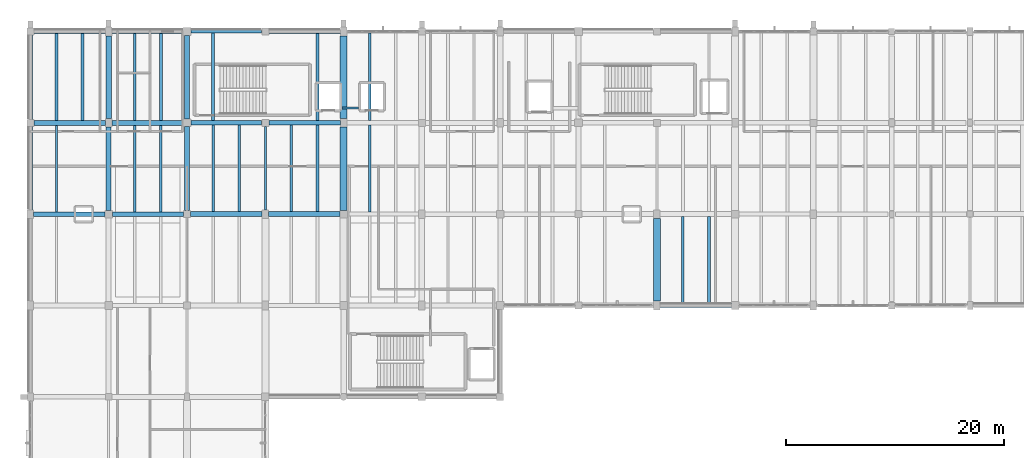
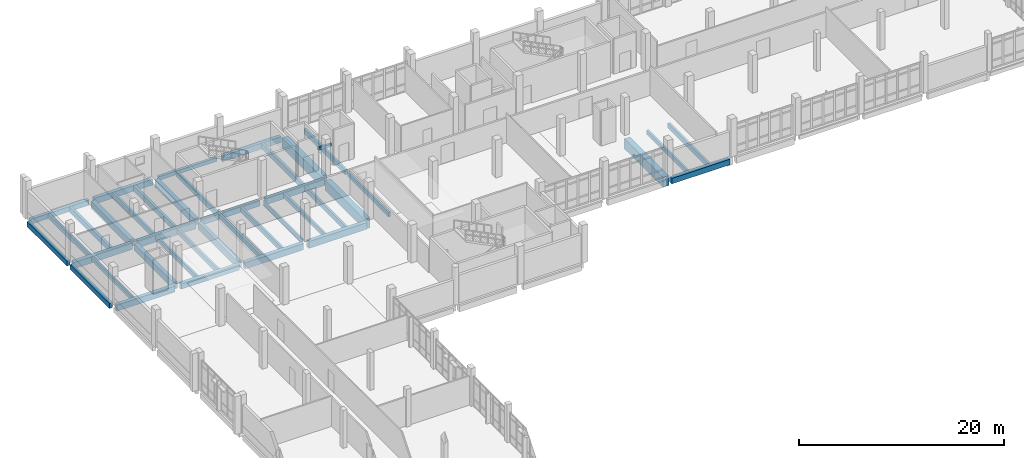
# One storey, part 27 of 57: 41 beams.
"""IFC4 building model written with IfcOpenShell, lengths in metres."""

from ifc_helpers import new_model, si_unit, direction, frame, origin, origin_2d, place, context, subcontext, project, spatial, rectangle, i_section, extrude, material, material_profile, profile_set, type_object, element, save


model = new_model("IFC4")

# Units and contexts
model_context = context("Model", 3, precision=1e-05, world=origin(), true_north=direction((0.0, 1.0)))
body_context = subcontext(model_context, "Body", "Model", "MODEL_VIEW")
ifc_project = project(units=[si_unit("LENGTHUNIT", "METRE"), si_unit("AREAUNIT", "SQUARE_METRE"), si_unit("VOLUMEUNIT", "CUBIC_METRE"), si_unit("PLANEANGLEUNIT", "RADIAN"), si_unit("MASSUNIT", "GRAM", prefix="KILO")], contexts=[model_context])

# Site, building, storey
site_placement = place(None, origin())
site = spatial("IfcSite", under=ifc_project, at=site_placement, CompositionType="ELEMENT")
building_placement = place(site_placement, origin())
building = spatial("IfcBuilding", under=site, at=building_placement, Name="Kalluvel Institute of Natural Sciences", CompositionType="ELEMENT")
storey_placement = place(building_placement, frame((0.0, 0.0, 23.39990234375)))
storey = spatial("IfcBuildingStorey", under=building, at=storey_placement, Name="L05", CompositionType="ELEMENT", Elevation=23.39990234375)

# Beams
ifc_material_1 = material(Name="Steel E350 Grade 350", Category="steel")
ifc_material_profile_1 = material_profile(ifc_material_1, i_section(OverallWidth=0.18994140625, OverallDepth=0.550048828125, WebThickness=0.01123046875, FlangeThickness=0.019287109375, FilletRadius=0.01806640625, at=origin_2d()), Name="ISMB 550")
ifc_profile_set_1 = profile_set([ifc_material_profile_1], Name="Steel E350 Grade 350")
beam_type_1 = type_object("IfcBeamType", Name="BM-ISMB550", PredefinedType="BEAM", material=ifc_profile_set_1)
beam_1_placement = place(storey_placement, frame((35.60009765625, 111.60009765625, -0.594970703125), z_axis=(0.0, 1.0, 0.0), x_axis=(-1.0, 0.0, 0.0)))
element("IfcBeam", 1, at=beam_1_placement, inside=storey, type_object=beam_type_1, Name="L05 girder GIR-L05-NS-X356-Y1112", PredefinedType="BEAM", context=body_context, shape_type="SweptSolid", body=[
    extrude(i_section(OverallWidth=0.18994140625, OverallDepth=0.550048828125, WebThickness=0.01123046875, FlangeThickness=0.019287109375, FilletRadius=0.01806640625, at=origin_2d()), origin(), (0.0, 0.0, 1.0), 7.6748046875),
])
ifc_material_2 = material(Name="Concrete M40", Category="concrete")
ifc_material_profile_2 = material_profile(ifc_material_2, rectangle(XDim=0.3798828125, YDim=0.639892578125, at=origin_2d()), Name="RCB 380x640")
ifc_profile_set_2 = profile_set([ifc_material_profile_2], Name="Concrete M40")
beam_type_2 = type_object("IfcBeamType", Name="BM-RC380x640", PredefinedType="BEAM", material=ifc_profile_set_2)
beam_2_placement = place(storey_placement, frame((28.75, 119.60009765625, -0.639892578125), z_axis=(1.0, 0.0, 0.0), x_axis=(0.0, 1.0, 0.0)))
element("IfcBeam", 2, at=beam_2_placement, inside=storey, type_object=beam_type_2, Name="L05 girder GIR-L05-EW-X284-Y1196", PredefinedType="BEAM", context=body_context, shape_type="SweptSolid", body=[
    extrude(rectangle(XDim=0.3798828125, YDim=0.639892578125, at=origin_2d()), origin(), (0.0, 0.0, 1.0), 6.52490234375),
])
ifc_material_profile_3 = material_profile(ifc_material_2, rectangle(XDim=0.39990234375, YDim=0.64990234375, at=origin_2d()), Name="RCB 400x650")
ifc_profile_set_3 = profile_set([ifc_material_profile_3], Name="Concrete M40")
beam_type_3 = type_object("IfcBeamType", Name="BM-RC400x650", PredefinedType="BEAM", material=ifc_profile_set_3)
beam_3_placement = place(storey_placement, frame((71.89990234375, 102.800048828125, -0.64501953125), z_axis=(1.0, 0.0, 0.0), x_axis=(0.0, 1.0, 0.0)))
element("IfcBeam", 3, at=beam_3_placement, inside=storey, type_object=beam_type_3, Name="L05 girder GIR-L05-EW-X716-Y1028", PredefinedType="BEAM", context=body_context, shape_type="SweptSolid", body=[
    extrude(rectangle(XDim=0.39990234375, YDim=0.64990234375, at=origin_2d()), origin(), (0.0, 0.0, 1.0), 6.550048828125),
])
beam_4_placement = place(storey_placement, frame((21.550048828125, 111.199951171875, -0.64501953125), z_axis=(1.0, 0.0, 0.0), x_axis=(0.0, 1.0, 0.0)))
element("IfcBeam", 4, at=beam_4_placement, inside=storey, type_object=beam_type_3, Name="L05 girder GIR-L05-EW-X212-Y1112", PredefinedType="BEAM", context=body_context, shape_type="SweptSolid", body=[
    extrude(rectangle(XDim=0.39990234375, YDim=0.64990234375, at=origin_2d()), origin(), (0.0, 0.0, 1.0), 6.52490234375),
])
ifc_material_profile_4 = material_profile(ifc_material_2, rectangle(XDim=0.419921875, YDim=0.719970703125, at=origin_2d()), Name="RCB 420x720")
ifc_profile_set_4 = profile_set([ifc_material_profile_4], Name="Concrete M40")
beam_type_4 = type_object("IfcBeamType", Name="BM-RC420x720", PredefinedType="BEAM", material=ifc_profile_set_4)
beam_5_placement = place(storey_placement, frame((14.300048828125, 111.199951171875, -0.679931640625), z_axis=(1.0, 0.0, 0.0), x_axis=(0.0, 1.0, 0.0)))
element("IfcBeam", 5, at=beam_5_placement, inside=storey, type_object=beam_type_4, Name="L05 girder GIR-L05-EW-X140-Y1112", PredefinedType="BEAM", context=body_context, shape_type="SweptSolid", body=[
    extrude(rectangle(XDim=0.419921875, YDim=0.719970703125, at=origin_2d()), origin(), (0.0, 0.0, 1.0), 6.550048828125),
])
beam_6_placement = place(storey_placement, frame((35.925048828125, 119.60009765625, -0.679931640625), z_axis=(1.0, 0.0, 0.0), x_axis=(0.0, 1.0, 0.0)))
element("IfcBeam", 6, at=beam_6_placement, inside=storey, type_object=beam_type_4, Name="L05 girder GIR-L05-EW-X356-Y1196", PredefinedType="BEAM", context=body_context, shape_type="SweptSolid", body=[
    extrude(rectangle(XDim=0.419921875, YDim=0.719970703125, at=origin_2d()), origin(), (0.0, 0.0, 1.0), 6.574951171875),
])
ifc_material_profile_5 = material_profile(ifc_material_2, rectangle(XDim=0.449951171875, YDim=0.75, at=origin_2d()), Name="RCB 450x750")
ifc_profile_set_5 = profile_set([ifc_material_profile_5], Name="Concrete M40")
beam_type_5 = type_object("IfcBeamType", Name="BM-RC450x750", PredefinedType="BEAM", material=ifc_profile_set_5)
for number, where, z_axis, x_axis, name in (
    (7, (28.72509765625, 111.199951171875, -0.69482421875), (1.0, 0.0, 0.0), (0.0, 1.0, 0.0), "L05 girder GIR-L05-EW-X284-Y1112"),
    (8, (14.324951171875, 119.60009765625, -0.69482421875), (1.0, 0.0, 0.0), (0.0, 1.0, 0.0), "L05 girder GIR-L05-EW-X140-Y1196"),
):
    element("IfcBeam", number, at=place(storey_placement, frame(where, z_axis=z_axis, x_axis=x_axis)), inside=storey, type_object=beam_type_5, Name=name, PredefinedType="BEAM", context=body_context, shape_type="SweptSolid", body=[
        extrude(rectangle(XDim=0.449951171875, YDim=0.75, at=origin_2d()), origin(), (0.0, 0.0, 1.0), 6.574951171875),
    ])
ifc_material_profile_6 = material_profile(ifc_material_2, rectangle(XDim=0.449951171875, YDim=0.800048828125, at=origin_2d()), Name="RCB 450x800")
ifc_profile_set_6 = profile_set([ifc_material_profile_6], Name="Concrete M40")
beam_type_6 = type_object("IfcBeamType", Name="BM-RC450x800", PredefinedType="BEAM", material=ifc_profile_set_6)
for number, where, z_axis, x_axis, name in (
    (9, (35.89990234375, 111.199951171875, -0.719970703125), (1.0, 0.0, 0.0), (0.0, 1.0, 0.0), "L05 girder GIR-L05-EW-X356-Y1112"),
    (10, (21.5, 119.60009765625, -0.719970703125), (1.0, 0.0, 0.0), (0.0, 1.0, 0.0), "L05 girder GIR-L05-EW-X212-Y1196"),
):
    element("IfcBeam", number, at=place(storey_placement, frame(where, z_axis=z_axis, x_axis=x_axis)), inside=storey, type_object=beam_type_6, Name=name, PredefinedType="BEAM", context=body_context, shape_type="SweptSolid", body=[
        extrude(rectangle(XDim=0.449951171875, YDim=0.800048828125, at=origin_2d()), origin(), (0.0, 0.0, 1.0), 6.550048828125),
    ])
beam_7_placement = place(storey_placement, frame((21.199951171875, 111.550048828125, -0.719970703125), z_axis=(0.0, 1.0, 0.0), x_axis=(-1.0, 0.0, 0.0)))
element("IfcBeam", 11, at=beam_7_placement, inside=storey, type_object=beam_type_6, Name="L05 girder GIR-L05-NS-X212-Y1112", PredefinedType="BEAM", context=body_context, shape_type="SweptSolid", body=[
    extrude(rectangle(XDim=0.449951171875, YDim=0.800048828125, at=origin_2d()), origin(), (0.0, 0.0, 1.0), 7.64990234375),
])
beam_8_placement = place(storey_placement, frame((28.39990234375, 111.52490234375, -0.719970703125), z_axis=(0.0, 1.0, 0.0), x_axis=(-1.0, 0.0, 0.0)))
element("IfcBeam", 12, at=beam_8_placement, inside=storey, type_object=beam_type_6, Name="L05 girder GIR-L05-NS-X284-Y1112", PredefinedType="BEAM", context=body_context, shape_type="SweptSolid", body=[
    extrude(rectangle(XDim=0.449951171875, YDim=0.800048828125, at=origin_2d()), origin(), (0.0, 0.0, 1.0), 7.72509765625),
])
beam_9_placement = place(storey_placement, frame((28.39990234375, 119.949951171875, -0.719970703125), z_axis=(0.0, 1.0, 0.0), x_axis=(-1.0, 0.0, 0.0)))
element("IfcBeam", 13, at=beam_9_placement, inside=storey, type_object=beam_type_6, Name="L05 girder GIR-L05-NS-X284-Y1196", PredefinedType="BEAM", context=body_context, shape_type="SweptSolid", body=[
    extrude(rectangle(XDim=0.449951171875, YDim=0.800048828125, at=origin_2d()), origin(), (0.0, 0.0, 1.0), 7.699951171875),
])
ifc_material_3 = material(Name="Concrete M50", Category="concrete")
ifc_material_profile_7 = material_profile(ifc_material_3, rectangle(XDim=0.5, YDim=0.85009765625, at=origin_2d()), Name="RCB 500x850")
ifc_profile_set_7 = profile_set([ifc_material_profile_7], Name="Concrete M50")
beam_type_7 = type_object("IfcBeamType", Name="BM-RC500x850", PredefinedType="BEAM", material=ifc_profile_set_7)
beam_10_placement = place(storey_placement, frame((21.199951171875, 120.0, -0.744873046875), z_axis=(0.0, 1.0, 0.0), x_axis=(-1.0, 0.0, 0.0)))
element("IfcBeam", 14, at=beam_10_placement, inside=storey, type_object=beam_type_7, Name="L05 girder GIR-L05-NS-X212-Y1196", PredefinedType="BEAM", context=body_context, shape_type="SweptSolid", body=[
    extrude(rectangle(XDim=0.5, YDim=0.85009765625, at=origin_2d()), origin(), (0.0, 0.0, 1.0), 7.60009765625),
])
ifc_material_profile_8 = material_profile(ifc_material_3, rectangle(XDim=0.64990234375, YDim=1.199951171875, at=origin_2d()), Name="RCB 650x1200")
ifc_profile_set_8 = profile_set([ifc_material_profile_8], Name="Concrete M50")
beam_type_8 = type_object("IfcBeamType", Name="BM-RC650x1200", PredefinedType="BEAM", material=ifc_profile_set_8)
beam_11_placement = place(storey_placement, frame((42.800048828125, 111.550048828125, -0.919921875), z_axis=(0.0, 1.0, 0.0), x_axis=(-1.0, 0.0, 0.0)))
element("IfcBeam", 15, at=beam_11_placement, inside=storey, type_object=beam_type_8, Name="L05 girder GIR-L05-NS-X428-Y1112", PredefinedType="BEAM", context=body_context, shape_type="SweptSolid", body=[
    extrude(rectangle(XDim=0.64990234375, YDim=1.199951171875, at=origin_2d()), origin(), (0.0, 0.0, 1.0), 7.64990234375),
])
for number, where, z_axis, x_axis, name in (
    (16, (42.800048828125, 120.0, -0.919921875), (0.0, 1.0, 0.0), (-1.0, 0.0, 0.0), "L05 girder GIR-L05-NS-X428-Y1196"),
    (17, (71.60009765625, 103.199951171875, -0.919921875), (0.0, 1.0, 0.0), (-1.0, 0.0, 0.0), "L05 girder GIR-L05-NS-X716-Y1028"),
):
    element("IfcBeam", number, at=place(storey_placement, frame(where, z_axis=z_axis, x_axis=x_axis)), inside=storey, type_object=beam_type_8, Name=name, PredefinedType="BEAM", context=body_context, shape_type="SweptSolid", body=[
        extrude(rectangle(XDim=0.64990234375, YDim=1.199951171875, at=origin_2d()), origin(), (0.0, 0.0, 1.0), 7.60009765625),
    ])
ifc_material_4 = material(Name="Sadarahalli Granite Precast Concrete M45", Category="masonry")
ifc_material_profile_9 = material_profile(ifc_material_4, rectangle(XDim=0.199951171875, YDim=0.300048828125, at=origin_2d()), Name="LIN 200x300")
ifc_profile_set_9 = profile_set([ifc_material_profile_9], Name="Sadarahalli Granite Precast Concrete M45")
beam_type_9 = type_object("IfcBeamType", Name="LN-200x300-INT", PredefinedType="LINTEL", material=ifc_profile_set_9)
beam_12_placement = place(storey_placement, frame((42.639892578125, 120.949951171875, 2.35009765625), z_axis=(1.0, 0.0, 0.0), x_axis=(0.0, 1.0, 0.0)))
element("IfcBeam", 18, at=beam_12_placement, inside=storey, type_object=beam_type_9, Name="L05 lift-core coupling lintel A", PredefinedType="LINTEL", context=body_context, shape_type="SweptSolid", body=[
    extrude(rectangle(XDim=0.199951171875, YDim=0.300048828125, at=origin_2d()), origin(), (0.0, 0.0, 1.0), 1.52001953125),
])
ifc_material_profile_10 = material_profile(ifc_material_2, rectangle(XDim=0.300048828125, YDim=0.449951171875, at=origin_2d()), Name="RCB 300x450")
ifc_profile_set_10 = profile_set([ifc_material_profile_10], Name="Concrete M40")
beam_type_10 = type_object("IfcBeamType", Name="SP-RC300x450", PredefinedType="SPANDREL", material=ifc_profile_set_10)
beam_13_placement = place(storey_placement, frame((28.75, 128.0, -0.544921875), z_axis=(1.0, 0.0, 0.0), x_axis=(0.0, 1.0, 0.0)))
element("IfcBeam", 19, at=beam_13_placement, inside=storey, type_object=beam_type_10, Name="L05 girder GIR-L05-EW-X284-Y1280", PredefinedType="SPANDREL", context=body_context, shape_type="SweptSolid", body=[
    extrude(rectangle(XDim=0.300048828125, YDim=0.449951171875, at=origin_2d()), origin(), (0.0, 0.0, 1.0), 6.52490234375),
])
ifc_material_profile_11 = material_profile(ifc_material_2, rectangle(XDim=0.35009765625, YDim=0.60009765625, at=origin_2d()), Name="RCB 350x600")
ifc_profile_set_11 = profile_set([ifc_material_profile_11], Name="Concrete M40")
beam_type_11 = type_object("IfcBeamType", Name="SP-RC350x600", PredefinedType="SPANDREL", material=ifc_profile_set_11)
beam_14_placement = place(storey_placement, frame((14.324951171875, 128.0, -0.619873046875), z_axis=(1.0, 0.0, 0.0), x_axis=(0.0, 1.0, 0.0)))
element("IfcBeam", 20, at=beam_14_placement, inside=storey, type_object=beam_type_11, Name="L05 girder GIR-L05-EW-X140-Y1280", PredefinedType="SPANDREL", context=body_context, shape_type="SweptSolid", body=[
    extrude(rectangle(XDim=0.35009765625, YDim=0.60009765625, at=origin_2d()), origin(), (0.0, 0.0, 1.0), 6.574951171875),
])
beam_15_placement = place(storey_placement, frame((14.0, 111.60009765625, -0.619873046875), z_axis=(0.0, 1.0, 0.0), x_axis=(-1.0, 0.0, 0.0)))
element("IfcBeam", 21, at=beam_15_placement, inside=storey, type_object=beam_type_11, Name="L05 girder GIR-L05-NS-X140-Y1112", PredefinedType="SPANDREL", context=body_context, shape_type="SweptSolid", body=[
    extrude(rectangle(XDim=0.35009765625, YDim=0.60009765625, at=origin_2d()), origin(), (0.0, 0.0, 1.0), 7.6748046875),
])
beam_16_placement = place(storey_placement, frame((14.0, 119.925048828125, -0.619873046875), z_axis=(0.0, 1.0, 0.0), x_axis=(-1.0, 0.0, 0.0)))
element("IfcBeam", 22, at=beam_16_placement, inside=storey, type_object=beam_type_11, Name="L05 girder GIR-L05-NS-X140-Y1196", PredefinedType="SPANDREL", context=body_context, shape_type="SweptSolid", body=[
    extrude(rectangle(XDim=0.35009765625, YDim=0.60009765625, at=origin_2d()), origin(), (0.0, 0.0, 1.0), 7.75),
])
ifc_material_profile_12 = material_profile(ifc_material_2, rectangle(XDim=0.39990234375, YDim=0.699951171875, at=origin_2d()), Name="RCB 400x700")
ifc_profile_set_12 = profile_set([ifc_material_profile_12], Name="Concrete M40")
beam_type_12 = type_object("IfcBeamType", Name="SP-RC400x700", PredefinedType="SPANDREL", material=ifc_profile_set_12)
beam_17_placement = place(storey_placement, frame((21.5, 128.0, -0.669921875), z_axis=(1.0, 0.0, 0.0), x_axis=(0.0, 1.0, 0.0)))
element("IfcBeam", 23, at=beam_17_placement, inside=storey, type_object=beam_type_12, Name="L05 girder GIR-L05-EW-X212-Y1280", PredefinedType="SPANDREL", context=body_context, shape_type="SweptSolid", body=[
    extrude(rectangle(XDim=0.39990234375, YDim=0.699951171875, at=origin_2d()), origin(), (0.0, 0.0, 1.0), 6.550048828125),
])
beam_18_placement = place(storey_placement, frame((35.925048828125, 128.0, -0.669921875), z_axis=(1.0, 0.0, 0.0), x_axis=(0.0, 1.0, 0.0)))
element("IfcBeam", 24, at=beam_18_placement, inside=storey, type_object=beam_type_12, Name="L05 girder GIR-L05-EW-X356-Y1280", PredefinedType="SPANDREL", context=body_context, shape_type="SweptSolid", body=[
    extrude(rectangle(XDim=0.39990234375, YDim=0.699951171875, at=origin_2d()), origin(), (0.0, 0.0, 1.0), 6.574951171875),
])
ifc_material_profile_13 = material_profile(ifc_material_2, rectangle(XDim=0.219970703125, YDim=0.5, at=origin_2d()), Name="WAF 220x500")
ifc_profile_set_13 = profile_set([ifc_material_profile_13], Name="Concrete M40")
beam_type_13 = type_object("IfcBeamType", Name="WJ-220x500", PredefinedType="JOIST", material=ifc_profile_set_13)
beam_19_placement = place(storey_placement, frame((16.39990234375, 111.409912109375, -0.56982421875), z_axis=(0.0, 1.0, 0.0), x_axis=(-1.0, 0.0, 0.0)))
element("IfcBeam", 25, at=beam_19_placement, inside=storey, type_object=beam_type_13, Name="L05 waffle joist RIB-L05-0369", PredefinedType="JOIST", context=body_context, shape_type="SweptSolid", body=[
    extrude(rectangle(XDim=0.219970703125, YDim=0.5, at=origin_2d()), origin(), (0.0, 0.0, 1.0), 7.965087890625),
])
ifc_material_profile_14 = material_profile(ifc_material_2, rectangle(XDim=0.239990234375, YDim=0.52001953125, at=origin_2d()), Name="WAF 240x520")
ifc_profile_set_14 = profile_set([ifc_material_profile_14], Name="Concrete M40")
beam_type_14 = type_object("IfcBeamType", Name="WJ-240x520", PredefinedType="JOIST", material=ifc_profile_set_14)
beam_20_placement = place(storey_placement, frame((23.60009765625, 111.39990234375, -0.579833984375), z_axis=(0.0, 1.0, 0.0), x_axis=(-1.0, 0.0, 0.0)))
element("IfcBeam", 26, at=beam_20_placement, inside=storey, type_object=beam_type_14, Name="L05 waffle joist RIB-L05-0374", PredefinedType="JOIST", context=body_context, shape_type="SweptSolid", body=[
    extrude(rectangle(XDim=0.239990234375, YDim=0.52001953125, at=origin_2d()), origin(), (0.0, 0.0, 1.0), 7.97509765625),
])
beam_21_placement = place(storey_placement, frame((30.800048828125, 111.425048828125, -0.579833984375), z_axis=(0.0, 1.0, 0.0), x_axis=(-1.0, 0.0, 0.0)))
element("IfcBeam", 27, at=beam_21_placement, inside=storey, type_object=beam_type_14, Name="L05 waffle joist RIB-L05-0380", PredefinedType="JOIST", context=body_context, shape_type="SweptSolid", body=[
    extrude(rectangle(XDim=0.239990234375, YDim=0.52001953125, at=origin_2d()), origin(), (0.0, 0.0, 1.0), 7.98486328125),
])
beam_22_placement = place(storey_placement, frame((38.0, 111.425048828125, -0.579833984375), z_axis=(0.0, 1.0, 0.0), x_axis=(-1.0, 0.0, 0.0)))
element("IfcBeam", 28, at=beam_22_placement, inside=storey, type_object=beam_type_14, Name="L05 waffle joist RIB-L05-0385", PredefinedType="JOIST", context=body_context, shape_type="SweptSolid", body=[
    extrude(rectangle(XDim=0.239990234375, YDim=0.52001953125, at=origin_2d()), origin(), (0.0, 0.0, 1.0), 7.96484375),
])
beam_23_placement = place(storey_placement, frame((45.199951171875, 111.389892578125, -0.579833984375), z_axis=(0.0, 1.0, 0.0), x_axis=(-1.0, 0.0, 0.0)))
element("IfcBeam", 29, at=beam_23_placement, inside=storey, type_object=beam_type_14, Name="L05 waffle joist RIB-L05-0390", PredefinedType="JOIST", context=body_context, shape_type="SweptSolid", body=[
    extrude(rectangle(XDim=0.239990234375, YDim=0.52001953125, at=origin_2d()), origin(), (0.0, 0.0, 1.0), 8.010009765625),
])
beam_24_placement = place(storey_placement, frame((74.0, 103.0, -0.579833984375), z_axis=(0.0, 1.0, 0.0), x_axis=(-1.0, 0.0, 0.0)))
element("IfcBeam", 30, at=beam_24_placement, inside=storey, type_object=beam_type_14, Name="L05 waffle joist RIB-L05-0408", PredefinedType="JOIST", context=body_context, shape_type="SweptSolid", body=[
    extrude(rectangle(XDim=0.239990234375, YDim=0.52001953125, at=origin_2d()), origin(), (0.0, 0.0, 1.0), 7.97509765625),
])
ifc_material_profile_15 = material_profile(ifc_material_2, rectangle(XDim=0.25, YDim=0.550048828125, at=origin_2d()), Name="WAF 250x550")
ifc_profile_set_15 = profile_set([ifc_material_profile_15], Name="Concrete M40")
beam_type_15 = type_object("IfcBeamType", Name="WJ-250x550", PredefinedType="JOIST", material=ifc_profile_set_15)
beam_25_placement = place(storey_placement, frame((16.39990234375, 119.824951171875, -0.594970703125), z_axis=(0.0, 1.0, 0.0), x_axis=(-1.0, 0.0, 0.0)))
element("IfcBeam", 31, at=beam_25_placement, inside=storey, type_object=beam_type_15, Name="L05 waffle joist RIB-L05-0370", PredefinedType="JOIST", context=body_context, shape_type="SweptSolid", body=[
    extrude(rectangle(XDim=0.25, YDim=0.550048828125, at=origin_2d()), origin(), (0.0, 0.0, 1.0), 8.0),
])
ifc_material_profile_16 = material_profile(ifc_material_2, rectangle(XDim=0.25, YDim=0.60009765625, at=origin_2d()), Name="WAF 250x600")
ifc_profile_set_16 = profile_set([ifc_material_profile_16], Name="Concrete M40")
beam_type_16 = type_object("IfcBeamType", Name="WJ-250x600", PredefinedType="JOIST", material=ifc_profile_set_16)
for number, where, z_axis, x_axis, name in (
    (32, (26.0, 111.39990234375, -0.619873046875), (0.0, 1.0, 0.0), (-1.0, 0.0, 0.0), "L05 waffle joist RIB-L05-0375"),
    (33, (23.60009765625, 119.824951171875, -0.619873046875), (0.0, 1.0, 0.0), (-1.0, 0.0, 0.0), "L05 waffle joist RIB-L05-0376"),
):
    element("IfcBeam", number, at=place(storey_placement, frame(where, z_axis=z_axis, x_axis=x_axis)), inside=storey, type_object=beam_type_16, Name=name, PredefinedType="JOIST", context=body_context, shape_type="SweptSolid", body=[
        extrude(rectangle(XDim=0.25, YDim=0.60009765625, at=origin_2d()), origin(), (0.0, 0.0, 1.0), 7.97509765625),
    ])
beam_26_placement = place(storey_placement, frame((33.199951171875, 111.425048828125, -0.619873046875), z_axis=(0.0, 1.0, 0.0), x_axis=(-1.0, 0.0, 0.0)))
element("IfcBeam", 34, at=beam_26_placement, inside=storey, type_object=beam_type_16, Name="L05 waffle joist RIB-L05-0381", PredefinedType="JOIST", context=body_context, shape_type="SweptSolid", body=[
    extrude(rectangle(XDim=0.25, YDim=0.60009765625, at=origin_2d()), origin(), (0.0, 0.0, 1.0), 7.98486328125),
])
beam_27_placement = place(storey_placement, frame((30.800048828125, 119.7900390625, -0.619873046875), z_axis=(0.0, 1.0, 0.0), x_axis=(-1.0, 0.0, 0.0)))
element("IfcBeam", 35, at=beam_27_placement, inside=storey, type_object=beam_type_16, Name="L05 waffle joist RIB-L05-0382", PredefinedType="JOIST", context=body_context, shape_type="SweptSolid", body=[
    extrude(rectangle(XDim=0.25, YDim=0.60009765625, at=origin_2d()), origin(), (0.0, 0.0, 1.0), 8.06005859375),
])
beam_28_placement = place(storey_placement, frame((40.39990234375, 111.425048828125, -0.619873046875), z_axis=(0.0, 1.0, 0.0), x_axis=(-1.0, 0.0, 0.0)))
element("IfcBeam", 36, at=beam_28_placement, inside=storey, type_object=beam_type_16, Name="L05 waffle joist RIB-L05-0386", PredefinedType="JOIST", context=body_context, shape_type="SweptSolid", body=[
    extrude(rectangle(XDim=0.25, YDim=0.60009765625, at=origin_2d()), origin(), (0.0, 0.0, 1.0), 7.96484375),
])
beam_29_placement = place(storey_placement, frame((45.199951171875, 119.800048828125, -0.619873046875), z_axis=(0.0, 1.0, 0.0), x_axis=(-1.0, 0.0, 0.0)))
element("IfcBeam", 37, at=beam_29_placement, inside=storey, type_object=beam_type_16, Name="L05 waffle joist RIB-L05-0392", PredefinedType="JOIST", context=body_context, shape_type="SweptSolid", body=[
    extrude(rectangle(XDim=0.25, YDim=0.60009765625, at=origin_2d()), origin(), (0.0, 0.0, 1.0), 8.050048828125),
])
beam_30_placement = place(storey_placement, frame((76.39990234375, 103.0, -0.619873046875), z_axis=(0.0, 1.0, 0.0), x_axis=(-1.0, 0.0, 0.0)))
element("IfcBeam", 38, at=beam_30_placement, inside=storey, type_object=beam_type_16, Name="L05 waffle joist RIB-L05-0409", PredefinedType="JOIST", context=body_context, shape_type="SweptSolid", body=[
    extrude(rectangle(XDim=0.25, YDim=0.60009765625, at=origin_2d()), origin(), (0.0, 0.0, 1.0), 7.97509765625),
])
ifc_material_profile_17 = material_profile(ifc_material_3, rectangle(XDim=0.280029296875, YDim=0.64990234375, at=origin_2d()), Name="WAF 280x650")
ifc_profile_set_17 = profile_set([ifc_material_profile_17], Name="Concrete M50")
beam_type_17 = type_object("IfcBeamType", Name="WJ-280x650", PredefinedType="JOIST", material=ifc_profile_set_17)
beam_31_placement = place(storey_placement, frame((18.800048828125, 119.824951171875, -0.64501953125), z_axis=(0.0, 1.0, 0.0), x_axis=(-1.0, 0.0, 0.0)))
element("IfcBeam", 39, at=beam_31_placement, inside=storey, type_object=beam_type_17, Name="L05 waffle joist RIB-L05-0371", PredefinedType="JOIST", context=body_context, shape_type="SweptSolid", body=[
    extrude(rectangle(XDim=0.280029296875, YDim=0.64990234375, at=origin_2d()), origin(), (0.0, 0.0, 1.0), 8.0),
])
beam_32_placement = place(storey_placement, frame((26.0, 119.824951171875, -0.64501953125), z_axis=(0.0, 1.0, 0.0), x_axis=(-1.0, 0.0, 0.0)))
element("IfcBeam", 40, at=beam_32_placement, inside=storey, type_object=beam_type_17, Name="L05 waffle joist RIB-L05-0377", PredefinedType="JOIST", context=body_context, shape_type="SweptSolid", body=[
    extrude(rectangle(XDim=0.280029296875, YDim=0.64990234375, at=origin_2d()), origin(), (0.0, 0.0, 1.0), 7.97509765625),
])
beam_33_placement = place(storey_placement, frame((40.39990234375, 119.81005859375, -0.64501953125), z_axis=(0.0, 1.0, 0.0), x_axis=(-1.0, 0.0, 0.0)))
element("IfcBeam", 41, at=beam_33_placement, inside=storey, type_object=beam_type_17, Name="L05 waffle joist RIB-L05-0387", PredefinedType="JOIST", context=body_context, shape_type="SweptSolid", body=[
    extrude(rectangle(XDim=0.280029296875, YDim=0.64990234375, at=origin_2d()), origin(), (0.0, 0.0, 1.0), 7.989990234375),
])

save(model, "model.ifc")
